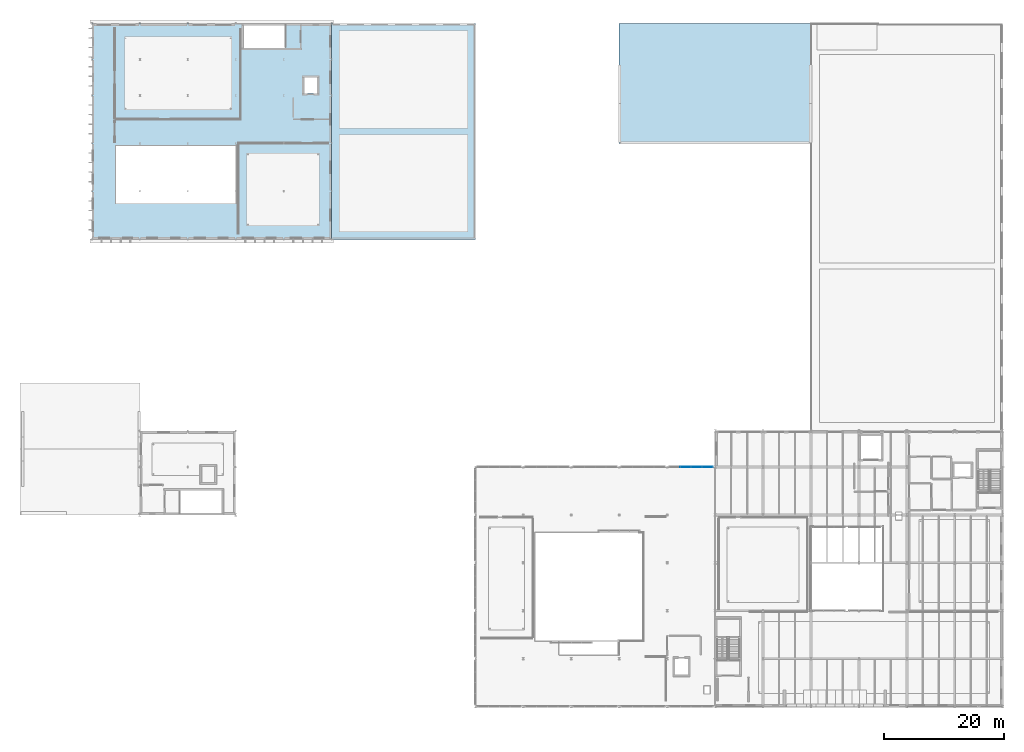
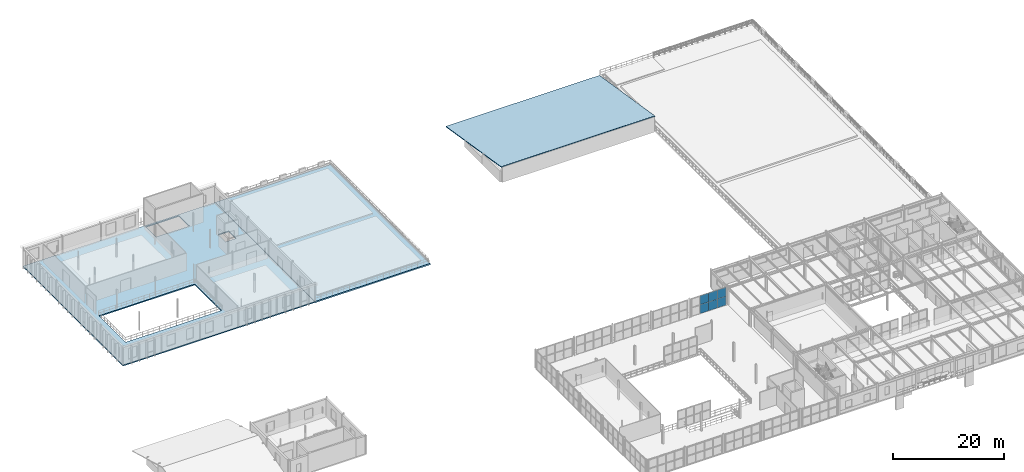
# One storey, part 33 of 67: 6 plates, 3 slabs, 2 elements without a shape of their own.
"""IFC4 building model written with IfcOpenShell, lengths in metres."""

from ifc_helpers import new_model, si_unit, direction, frame, origin, origin_2d, place, context, subcontext, project, spatial, polyline, rectangle, outline, extrude, material, layer, layer_set, type_object, element, aggregate, save


model = new_model("IFC4")

# Units and contexts
model_context = context("Model", 3, precision=1e-05, world=origin(), true_north=direction((0.0, 1.0)))
body_context = subcontext(model_context, "Body", "Model", "MODEL_VIEW")
ifc_project = project(units=[si_unit("LENGTHUNIT", "METRE"), si_unit("AREAUNIT", "SQUARE_METRE"), si_unit("VOLUMEUNIT", "CUBIC_METRE"), si_unit("PLANEANGLEUNIT", "RADIAN"), si_unit("MASSUNIT", "GRAM", prefix="KILO")], contexts=[model_context])

# Site, building, storey
site_placement = place(None, origin())
site = spatial("IfcSite", under=ifc_project, at=site_placement, CompositionType="ELEMENT")
building_placement = place(site_placement, origin())
building = spatial("IfcBuilding", under=site, at=building_placement, Name="Sundkrona Museum", CompositionType="ELEMENT")
storey_placement = place(building_placement, frame((0.0, 0.0, 21.800048828125)))
storey = spatial("IfcBuildingStorey", under=building, at=storey_placement, Name="L04", CompositionType="ELEMENT", Elevation=21.800048828125)

# Curtain wall, plates
ifc_material_1 = material(Name="Unitised Aluminium-Steel and Ceramic-Clad Curtain Walling", Category="steel")
curtain_wall_type = type_object("IfcCurtainWallType", Name="CW-AT-72x38", PredefinedType="NOTDEFINED", material=ifc_material_1)
curtain_wall_placement = place(storey_placement, origin())
curtain_wall = element("IfcCurtainWall", 1, at=curtain_wall_placement, inside=storey, type_object=curtain_wall_type, Name="L04 Curtain Wall CW-L04-091", PredefinedType="NOTDEFINED")
ifc_material_2 = material(Name="Vitrified Stoneware Mosaic Spandrel Panel", Category="masonry")
ifc_layer_1 = layer(ifc_material_2, 0.031982421875)
ifc_layer_set_1 = layer_set([ifc_layer_1], Name="Vitrified Stoneware Mosaic Spandrel Panel")
plate_type = type_object("IfcPlateType", Name="PN-MC-01", PredefinedType="CURTAIN_PANEL", material=ifc_layer_set_1)
plate_1_placement = place(storey_placement, frame((115.10009765625, 40.0, -0.00390625), z_axis=(0.0, 0.0, 1.0), x_axis=(1.0, 0.0, 0.0)))
plate_1 = element("IfcPlate", 2, at=plate_1_placement, type_object=plate_type, Name="CW-L04-091 Panel 03", PredefinedType="CURTAIN_PANEL", context=body_context, shape_type="SweptSolid", body=[
    extrude(rectangle(XDim=1.800048828125, YDim=0.031982421875, at=origin_2d()), origin(), (0.0, 0.0, 1.0), 1.964111328125),
])
plate_2_placement = place(storey_placement, frame((115.10009765625, 40.0, 1.9599609375), z_axis=(0.0, 0.0, 1.0), x_axis=(1.0, 0.0, 0.0)))
plate_2 = element("IfcPlate", 3, at=plate_2_placement, type_object=plate_type, Name="CW-L04-091 Panel 04", PredefinedType="CURTAIN_PANEL", context=body_context, shape_type="SweptSolid", body=[
    extrude(rectangle(XDim=1.800048828125, YDim=0.031982421875, at=origin_2d()), origin(), (0.0, 0.0, 1.0), 1.964111328125),
])
plate_3_placement = place(storey_placement, frame((116.89990234375, 40.0, -0.00390625), z_axis=(0.0, 0.0, 1.0), x_axis=(1.0, 0.0, 0.0)))
plate_3 = element("IfcPlate", 4, at=plate_3_placement, type_object=plate_type, Name="CW-L04-091 Panel 05", PredefinedType="CURTAIN_PANEL", context=body_context, shape_type="SweptSolid", body=[
    extrude(rectangle(XDim=1.800048828125, YDim=0.031982421875, at=origin_2d()), origin(), (0.0, 0.0, 1.0), 1.964111328125),
])
plate_4_placement = place(storey_placement, frame((116.89990234375, 40.0, 1.9599609375), z_axis=(0.0, 0.0, 1.0), x_axis=(1.0, 0.0, 0.0)))
plate_4 = element("IfcPlate", 5, at=plate_4_placement, type_object=plate_type, Name="CW-L04-091 Panel 06", PredefinedType="CURTAIN_PANEL", context=body_context, shape_type="SweptSolid", body=[
    extrude(rectangle(XDim=1.800048828125, YDim=0.031982421875, at=origin_2d()), origin(), (0.0, 0.0, 1.0), 1.964111328125),
])
plate_5_placement = place(storey_placement, frame((118.699951171875, 40.0, -0.00390625), z_axis=(0.0, 0.0, 1.0), x_axis=(1.0, 0.0, 0.0)))
plate_5 = element("IfcPlate", 6, at=plate_5_placement, type_object=plate_type, Name="CW-L04-091 Panel 07", PredefinedType="CURTAIN_PANEL", context=body_context, shape_type="SweptSolid", body=[
    extrude(rectangle(XDim=1.800048828125, YDim=0.031982421875, at=origin_2d()), origin(), (0.0, 0.0, 1.0), 1.964111328125),
])
plate_6_placement = place(storey_placement, frame((118.699951171875, 40.0, 1.9599609375), z_axis=(0.0, 0.0, 1.0), x_axis=(1.0, 0.0, 0.0)))
plate_6 = element("IfcPlate", 7, at=plate_6_placement, type_object=plate_type, Name="CW-L04-091 Panel 08", PredefinedType="CURTAIN_PANEL", context=body_context, shape_type="SweptSolid", body=[
    extrude(rectangle(XDim=1.800048828125, YDim=0.031982421875, at=origin_2d()), origin(), (0.0, 0.0, 1.0), 1.964111328125),
])
aggregate(curtain_wall, [plate_1, plate_2, plate_3, plate_4, plate_5, plate_6])

# Slabs
ifc_material_3 = material(Name="Concrete C35/45", Category="concrete")
ifc_layer_2 = layer(ifc_material_3, 0.239990234375)
ifc_layer_set_2 = layer_set([ifc_layer_2], Name="Concrete C35/45")
slab_type_1 = type_object("IfcSlabType", Name="SL-FL-240", PredefinedType="FLOOR", material=ifc_layer_set_2)
slab_1_placement = place(storey_placement, frame((0.0, 0.0, -0.239990234375)))
element("IfcSlab", 8, at=slab_1_placement, inside=storey, type_object=slab_type_1, Name="L04 Standard composite gallery floor slab 240 mm (SL-L04-V3W)", PredefinedType="FLOOR", context=body_context, shape_type="SweptSolid", body=[
    extrude(outline(polyline([(16.0, 78.0), (56.0, 78.0), (56.0, 114.0), (16.0, 114.0), (16.0, 78.0)]), holes=[polyline([(53.60009765625, 102.300048828125), (51.39990234375, 102.300048828125), (51.39990234375, 105.0), (53.60009765625, 105.0), (53.60009765625, 102.300048828125)]), polyline([(41.324951171875, 113.675048828125), (48.27490234375, 113.675048828125), (48.27490234375, 109.925048828125), (41.324951171875, 109.925048828125), (41.324951171875, 113.675048828125)]), polyline([(20.0, 93.60009765625), (40.0, 93.60009765625), (40.0, 84.0), (20.0, 84.0), (20.0, 93.60009765625)])]), origin(), (0.0, 0.0, 1.0), 0.239990234375),
])
ifc_layer_3 = layer(ifc_material_3, 0.300048828125)
ifc_layer_set_3 = layer_set([ifc_layer_3], Name="Concrete C35/45")
slab_type_2 = type_object("IfcSlabType", Name="SL-GD-300", PredefinedType="FLOOR", material=ifc_layer_set_3)
slab_2_placement = place(storey_placement, frame((0.0, 0.0, -0.300048828125)))
element("IfcSlab", 9, at=slab_2_placement, inside=storey, type_object=slab_type_2, Name="L04 Planted roof-garden waterproofed structural deck 300 mm (SL-L04-TR3)", PredefinedType="FLOOR", context=body_context, shape_type="SweptSolid", body=[
    extrude(outline(polyline([(56.0, 78.0), (80.0, 78.0), (80.0, 114.0), (56.0, 114.0), (56.0, 78.0)])), origin(), (0.0, 0.0, 1.0), 0.300048828125),
])

# Roof, slab
ifc_material_4 = material(Name="Patinated Copper and Composite Steel-Concrete", Category="concrete")
ifc_layer_4 = layer(ifc_material_4, 0.179931640625)
ifc_layer_set_4 = layer_set([ifc_layer_4], Name="Patinated Copper and Composite Steel-Concrete")
roof_type = type_object("IfcRoofType", Name="ROOF-PAV", PredefinedType="PAVILION_ROOF", material=ifc_layer_set_4)
roof_placement = place(storey_placement, origin())
roof = element("IfcRoof", 10, at=roof_placement, inside=storey, type_object=roof_type, Name="Volume 4 Cantilever Pavilion Pitched Copper Roof", PredefinedType="PAVILION_ROOF")
ifc_layer_5 = layer(ifc_material_3, 0.159912109375)
ifc_layer_set_5 = layer_set([ifc_layer_5], Name="Concrete C35/45")
slab_type_3 = type_object("IfcSlabType", Name="SL-RF-160", PredefinedType="ROOF", material=ifc_layer_set_5)
slab_3_placement = place(storey_placement, frame((104.0, 94.0, 3.14990234375), z_axis=(0.0, 0.157988150536, 0.987441008005), x_axis=(1.0, 0.0, 0.0)))
slab_3 = element("IfcSlab", 11, at=slab_3_placement, type_object=slab_type_3, Name="Conservation Wing North Copper Roof", PredefinedType="ROOF", context=body_context, shape_type="SweptSolid", body=[
    extrude(outline(polyline([(0.0, 0.0), (32.0, 0.0), (32.0, 20.25437452755291), (0.0, 20.25437452755291), (0.0, 0.0)])), origin(), (0.0, 0.0, -1.0), 0.159912109375),
])
aggregate(roof, [slab_3])

save(model, "model.ifc")
